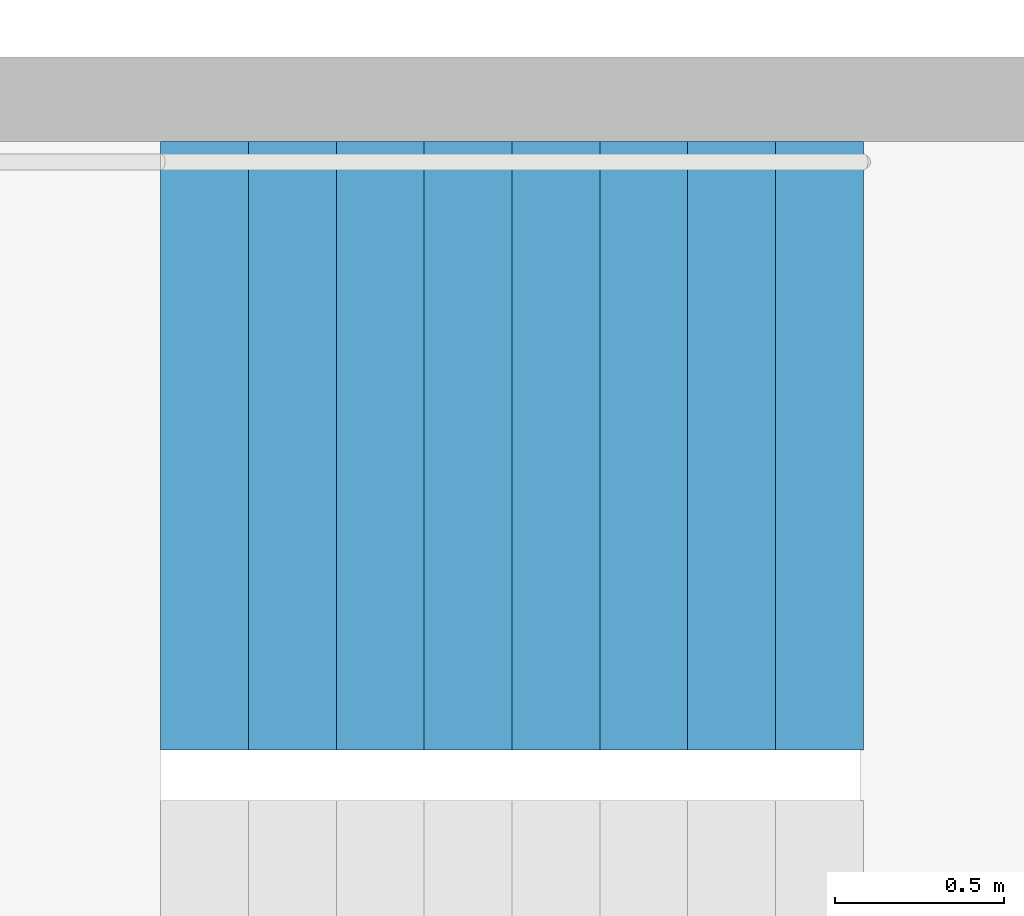
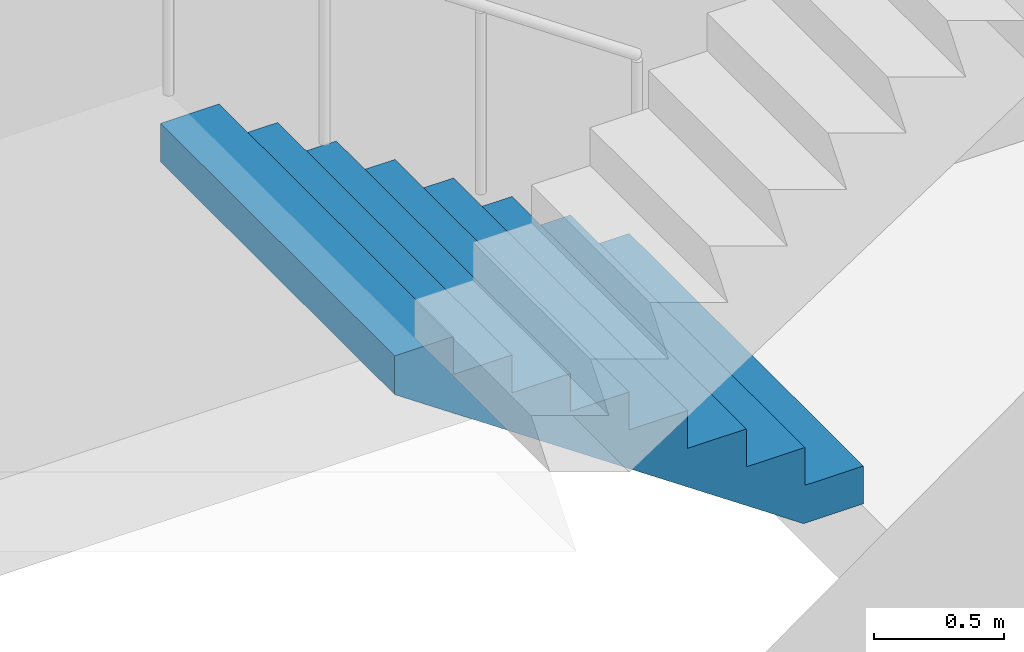
# One storey, part 18 of 25: 1 stair flight, 1 element without a shape of its own.
"""IFC4 building model written with IfcOpenShell, lengths in metres."""

from ifc_helpers import new_model, si_unit, direction, frame, origin, place, context, subcontext, project, spatial, triangles, material, type_object, element, aggregate, save


model = new_model("IFC4")

# Units and contexts
model_context = context("Model", 3, precision=1e-05, world=origin(), true_north=direction((0.0, 1.0)))
body_context = subcontext(model_context, "Body", "Model", "MODEL_VIEW")
ifc_project = project(units=[si_unit("LENGTHUNIT", "METRE"), si_unit("AREAUNIT", "SQUARE_METRE"), si_unit("VOLUMEUNIT", "CUBIC_METRE"), si_unit("PLANEANGLEUNIT", "RADIAN"), si_unit("MASSUNIT", "GRAM", prefix="KILO")], contexts=[model_context])

# Site, building, storey
site_placement = place(None, origin())
site = spatial("IfcSite", under=ifc_project, at=site_placement, CompositionType="ELEMENT")
building_placement = place(site_placement, origin())
building = spatial("IfcBuilding", under=site, at=building_placement, Name="Hakoniwa Tower and Hamabe Station Hall", CompositionType="ELEMENT")
storey_placement = place(building_placement, frame((0.0, 0.0, 147.0)))
storey = spatial("IfcBuildingStorey", under=building, at=storey_placement, Name="L41", CompositionType="ELEMENT", Elevation=147.0)

# Stair, stair flight
ifc_material_1 = material(Name="Concrete C40", Category="concrete")
stair_type = type_object("IfcStairType", Name="ESCAPE STAIR 1800", PredefinedType="HALF_TURN_STAIR", material=ifc_material_1)
stair_placement = place(storey_placement, origin())
stair = element("IfcStair", 1, at=stair_placement, inside=storey, type_object=stair_type, Name="Escape stair ST-2 L41", PredefinedType="HALF_TURN_STAIR")
ifc_material_2 = material(Name="Concrete C40", Category="concrete")
stair_flight_type = type_object("IfcStairFlightType", Name="STAIR FLIGHT 1800", PredefinedType="STRAIGHT", material=ifc_material_2)
stair_flight_placement = place(storey_placement, frame((-23.39990234375, -4.64990234375, 0.0), z_axis=(0.0, 0.0, 1.0), x_axis=(-1.0, 0.0, 0.0)))
stair_flight = element("IfcStairFlight", 2, at=stair_flight_placement, type_object=stair_flight_type, Name="ST-2 flight 1", NumberOfRisers=9, NumberOfTreads=8, PredefinedType="STRAIGHT", RiserHeight=0.177777778, TreadLength=0.26, context=body_context, shape_type="Tessellation", body=[
    triangles([(0.0, 0.89990234375, 0.0), (0.260009765625, 0.89990234375, 0.0), (0.265625, 0.89990234375, 0.0), (0.52001953125, 0.89990234375, 0.174072265625), (0.780029296875, 0.89990234375, 0.351806640625), (1.0400390625, 0.89990234375, 0.529541015625), (1.300048828125, 0.89990234375, 0.707275390625), (1.56005859375, 0.89990234375, 0.885009765625), (1.820068359375, 0.89990234375, 1.062744140625), (2.080078125, 0.89990234375, 1.24072265625), (2.080078125, 0.89990234375, 1.422119140625), (1.820068359375, 0.89990234375, 1.422119140625), (1.820068359375, 0.89990234375, 1.244384765625), (1.56005859375, 0.89990234375, 1.244384765625), (1.56005859375, 0.89990234375, 1.066650390625), (1.300048828125, 0.89990234375, 1.066650390625), (1.300048828125, 0.89990234375, 0.888916015625), (1.0400390625, 0.89990234375, 0.888916015625), (1.0400390625, 0.89990234375, 0.711181640625), (0.780029296875, 0.89990234375, 0.711181640625), (0.780029296875, 0.89990234375, 0.533447265625), (0.52001953125, 0.89990234375, 0.533447265625), (0.52001953125, 0.89990234375, 0.35546875), (0.265625, 0.89990234375, 0.35546875), (0.260009765625, 0.89990234375, 0.35546875), (0.260009765625, 0.89990234375, 0.177734375), (0.0, 0.89990234375, 0.177734375), (0.0, 0.06005859375, 0.0), (0.260009765625, 0.06005859375, 0.0), (0.265625, 0.06005859375, 0.0), (0.52001953125, 0.06005859375, 0.174072265625), (0.780029296875, 0.06005859375, 0.351806640625), (1.0400390625, 0.06005859375, 0.529541015625), (1.300048828125, 0.06005859375, 0.707275390625), (1.56005859375, 0.06005859375, 0.885009765625), (1.820068359375, 0.06005859375, 1.062744140625), (2.080078125, 0.06005859375, 1.24072265625), (2.080078125, 0.06005859375, 1.422119140625), (1.820068359375, 0.06005859375, 1.422119140625), (1.820068359375, 0.06005859375, 1.244384765625), (1.56005859375, 0.06005859375, 1.244384765625), (1.56005859375, 0.06005859375, 1.066650390625), (1.300048828125, 0.06005859375, 1.066650390625), (1.300048828125, 0.06005859375, 0.888916015625), (1.0400390625, 0.06005859375, 0.888916015625), (1.0400390625, 0.06005859375, 0.711181640625), (0.780029296875, 0.06005859375, 0.711181640625), (0.780029296875, 0.06005859375, 0.533447265625), (0.52001953125, 0.06005859375, 0.533447265625), (0.52001953125, 0.06005859375, 0.35546875), (0.265625, 0.06005859375, 0.35546875), (0.260009765625, 0.06005859375, 0.35546875), (0.260009765625, 0.06005859375, 0.177734375), (0.0, 0.06005859375, 0.177734375), (0.0, 0.04296875, 0.0), (0.260009765625, 0.04296875, 0.0), (0.265625, 0.04296875, 0.0), (0.52001953125, 0.04296875, 0.174072265625), (0.780029296875, 0.04296875, 0.351806640625), (1.0400390625, 0.04296875, 0.529541015625), (1.300048828125, 0.04296875, 0.707275390625), (1.56005859375, 0.04296875, 0.885009765625), (1.820068359375, 0.04296875, 1.062744140625), (2.080078125, 0.04296875, 1.24072265625), (2.080078125, 0.04296875, 1.422119140625), (1.820068359375, 0.04296875, 1.422119140625), (1.820068359375, 0.04296875, 1.244384765625), (1.56005859375, 0.04296875, 1.244384765625), (1.56005859375, 0.04296875, 1.066650390625), (1.300048828125, 0.04296875, 1.066650390625), (1.300048828125, 0.04296875, 0.888916015625), (1.0400390625, 0.04296875, 0.888916015625), (1.0400390625, 0.04296875, 0.711181640625), (0.780029296875, 0.04296875, 0.711181640625), (0.780029296875, 0.04296875, 0.533447265625), (0.52001953125, 0.04296875, 0.533447265625), (0.52001953125, 0.04296875, 0.35546875), (0.265625, 0.04296875, 0.35546875), (0.260009765625, 0.04296875, 0.35546875), (0.260009765625, 0.04296875, 0.177734375), (0.0, 0.04296875, 0.177734375), (0.0, 0.025634765625, 0.0), (0.260009765625, 0.025634765625, 0.0), (0.265625, 0.025634765625, 0.0), (0.52001953125, 0.025634765625, 0.174072265625), (0.780029296875, 0.025634765625, 0.351806640625), (1.0400390625, 0.025634765625, 0.529541015625), (1.300048828125, 0.025634765625, 0.707275390625), (1.56005859375, 0.025634765625, 0.885009765625), (1.820068359375, 0.025634765625, 1.062744140625), (2.080078125, 0.025634765625, 1.24072265625), (2.080078125, 0.025634765625, 1.422119140625), (1.820068359375, 0.025634765625, 1.422119140625), (1.820068359375, 0.025634765625, 1.244384765625), (1.56005859375, 0.025634765625, 1.244384765625), (1.56005859375, 0.025634765625, 1.066650390625), (1.300048828125, 0.025634765625, 1.066650390625), (1.300048828125, 0.025634765625, 0.888916015625), (1.0400390625, 0.025634765625, 0.888916015625), (1.0400390625, 0.025634765625, 0.711181640625), (0.780029296875, 0.025634765625, 0.711181640625), (0.780029296875, 0.025634765625, 0.533447265625), (0.52001953125, 0.025634765625, 0.533447265625), (0.52001953125, 0.025634765625, 0.35546875), (0.265625, 0.025634765625, 0.35546875), (0.260009765625, 0.025634765625, 0.35546875), (0.260009765625, 0.025634765625, 0.177734375), (0.0, 0.025634765625, 0.177734375), (0.0, 0.008544921875, 0.0), (0.260009765625, 0.008544921875, 0.0), (0.265625, 0.008544921875, 0.0), (0.52001953125, 0.008544921875, 0.174072265625), (0.780029296875, 0.008544921875, 0.351806640625), (1.0400390625, 0.008544921875, 0.529541015625), (1.300048828125, 0.008544921875, 0.707275390625), (1.56005859375, 0.008544921875, 0.885009765625), (1.820068359375, 0.008544921875, 1.062744140625), (2.080078125, 0.008544921875, 1.24072265625), (2.080078125, 0.008544921875, 1.422119140625), (1.820068359375, 0.008544921875, 1.422119140625), (1.820068359375, 0.008544921875, 1.244384765625), (1.56005859375, 0.008544921875, 1.244384765625), (1.56005859375, 0.008544921875, 1.066650390625), (1.300048828125, 0.008544921875, 1.066650390625), (1.300048828125, 0.008544921875, 0.888916015625), (1.0400390625, 0.008544921875, 0.888916015625), (1.0400390625, 0.008544921875, 0.711181640625), (0.780029296875, 0.008544921875, 0.711181640625), (0.780029296875, 0.008544921875, 0.533447265625), (0.52001953125, 0.008544921875, 0.533447265625), (0.52001953125, 0.008544921875, 0.35546875), (0.265625, 0.008544921875, 0.35546875), (0.260009765625, 0.008544921875, 0.35546875), (0.260009765625, 0.008544921875, 0.177734375), (0.0, 0.008544921875, 0.177734375), (0.0, -0.008544921875, 0.0), (0.260009765625, -0.008544921875, 0.0), (0.265625, -0.008544921875, 0.0), (0.52001953125, -0.008544921875, 0.174072265625), (0.780029296875, -0.008544921875, 0.351806640625), (1.0400390625, -0.008544921875, 0.529541015625), (1.300048828125, -0.008544921875, 0.707275390625), (1.56005859375, -0.008544921875, 0.885009765625), (1.820068359375, -0.008544921875, 1.062744140625), (2.080078125, -0.008544921875, 1.24072265625), (2.080078125, -0.008544921875, 1.422119140625), (1.820068359375, -0.008544921875, 1.422119140625), (1.820068359375, -0.008544921875, 1.244384765625), (1.56005859375, -0.008544921875, 1.244384765625), (1.56005859375, -0.008544921875, 1.066650390625), (1.300048828125, -0.008544921875, 1.066650390625), (1.300048828125, -0.008544921875, 0.888916015625), (1.0400390625, -0.008544921875, 0.888916015625), (1.0400390625, -0.008544921875, 0.711181640625), (0.780029296875, -0.008544921875, 0.711181640625), (0.780029296875, -0.008544921875, 0.533447265625), (0.52001953125, -0.008544921875, 0.533447265625), (0.52001953125, -0.008544921875, 0.35546875), (0.265625, -0.008544921875, 0.35546875), (0.260009765625, -0.008544921875, 0.35546875), (0.260009765625, -0.008544921875, 0.177734375), (0.0, -0.008544921875, 0.177734375), (0.0, -0.025634765625, 0.0), (0.260009765625, -0.025634765625, 0.0), (0.265625, -0.025634765625, 0.0), (0.52001953125, -0.025634765625, 0.174072265625), (0.780029296875, -0.025634765625, 0.351806640625), (1.0400390625, -0.025634765625, 0.529541015625), (1.300048828125, -0.025634765625, 0.707275390625), (1.56005859375, -0.025634765625, 0.885009765625), (1.820068359375, -0.025634765625, 1.062744140625), (2.080078125, -0.025634765625, 1.24072265625), (2.080078125, -0.025634765625, 1.422119140625), (1.820068359375, -0.025634765625, 1.422119140625), (1.820068359375, -0.025634765625, 1.244384765625), (1.56005859375, -0.025634765625, 1.244384765625), (1.56005859375, -0.025634765625, 1.066650390625), (1.300048828125, -0.025634765625, 1.066650390625), (1.300048828125, -0.025634765625, 0.888916015625), (1.0400390625, -0.025634765625, 0.888916015625), (1.0400390625, -0.025634765625, 0.711181640625), (0.780029296875, -0.025634765625, 0.711181640625), (0.780029296875, -0.025634765625, 0.533447265625), (0.52001953125, -0.025634765625, 0.533447265625), (0.52001953125, -0.025634765625, 0.35546875), (0.265625, -0.025634765625, 0.35546875), (0.260009765625, -0.025634765625, 0.35546875), (0.260009765625, -0.025634765625, 0.177734375), (0.0, -0.025634765625, 0.177734375), (0.0, -0.04296875, 0.0), (0.260009765625, -0.04296875, 0.0), (0.265625, -0.04296875, 0.0), (0.52001953125, -0.04296875, 0.174072265625), (0.780029296875, -0.04296875, 0.351806640625), (1.0400390625, -0.04296875, 0.529541015625), (1.300048828125, -0.04296875, 0.707275390625), (1.56005859375, -0.04296875, 0.885009765625), (1.820068359375, -0.04296875, 1.062744140625), (2.080078125, -0.04296875, 1.24072265625), (2.080078125, -0.04296875, 1.422119140625), (1.820068359375, -0.04296875, 1.422119140625), (1.820068359375, -0.04296875, 1.244384765625), (1.56005859375, -0.04296875, 1.244384765625), (1.56005859375, -0.04296875, 1.066650390625), (1.300048828125, -0.04296875, 1.066650390625), (1.300048828125, -0.04296875, 0.888916015625), (1.0400390625, -0.04296875, 0.888916015625), (1.0400390625, -0.04296875, 0.711181640625), (0.780029296875, -0.04296875, 0.711181640625), (0.780029296875, -0.04296875, 0.533447265625), (0.52001953125, -0.04296875, 0.533447265625), (0.52001953125, -0.04296875, 0.35546875), (0.265625, -0.04296875, 0.35546875), (0.260009765625, -0.04296875, 0.35546875), (0.260009765625, -0.04296875, 0.177734375), (0.0, -0.04296875, 0.177734375), (0.0, -0.06005859375, 0.0), (0.260009765625, -0.06005859375, 0.0), (0.265625, -0.06005859375, 0.0), (0.52001953125, -0.06005859375, 0.174072265625), (0.780029296875, -0.06005859375, 0.351806640625), (1.0400390625, -0.06005859375, 0.529541015625), (1.300048828125, -0.06005859375, 0.707275390625), (1.56005859375, -0.06005859375, 0.885009765625), (1.820068359375, -0.06005859375, 1.062744140625), (2.080078125, -0.06005859375, 1.24072265625), (2.080078125, -0.06005859375, 1.422119140625), (1.820068359375, -0.06005859375, 1.422119140625), (1.820068359375, -0.06005859375, 1.244384765625), (1.56005859375, -0.06005859375, 1.244384765625), (1.56005859375, -0.06005859375, 1.066650390625), (1.300048828125, -0.06005859375, 1.066650390625), (1.300048828125, -0.06005859375, 0.888916015625), (1.0400390625, -0.06005859375, 0.888916015625), (1.0400390625, -0.06005859375, 0.711181640625), (0.780029296875, -0.06005859375, 0.711181640625), (0.780029296875, -0.06005859375, 0.533447265625), (0.52001953125, -0.06005859375, 0.533447265625), (0.52001953125, -0.06005859375, 0.35546875), (0.265625, -0.06005859375, 0.35546875), (0.260009765625, -0.06005859375, 0.35546875), (0.260009765625, -0.06005859375, 0.177734375), (0.0, -0.06005859375, 0.177734375), (0.0, -0.89990234375, 0.0), (0.260009765625, -0.89990234375, 0.0), (0.265625, -0.89990234375, 0.0), (0.52001953125, -0.89990234375, 0.174072265625), (0.780029296875, -0.89990234375, 0.351806640625), (1.0400390625, -0.89990234375, 0.529541015625), (1.300048828125, -0.89990234375, 0.707275390625), (1.56005859375, -0.89990234375, 0.885009765625), (1.820068359375, -0.89990234375, 1.062744140625), (2.080078125, -0.89990234375, 1.24072265625), (2.080078125, -0.89990234375, 1.422119140625), (1.820068359375, -0.89990234375, 1.422119140625), (1.820068359375, -0.89990234375, 1.244384765625), (1.56005859375, -0.89990234375, 1.244384765625), (1.56005859375, -0.89990234375, 1.066650390625), (1.300048828125, -0.89990234375, 1.066650390625), (1.300048828125, -0.89990234375, 0.888916015625), (1.0400390625, -0.89990234375, 0.888916015625), (1.0400390625, -0.89990234375, 0.711181640625), (0.780029296875, -0.89990234375, 0.711181640625), (0.780029296875, -0.89990234375, 0.533447265625), (0.52001953125, -0.89990234375, 0.533447265625), (0.52001953125, -0.89990234375, 0.35546875), (0.265625, -0.89990234375, 0.35546875), (0.260009765625, -0.89990234375, 0.35546875), (0.260009765625, -0.89990234375, 0.177734375), (0.0, -0.89990234375, 0.177734375)], [[2, 27, 26], [245, 269, 270], [2, 1, 27], [245, 270, 244], [3, 25, 24], [246, 267, 268], [3, 26, 25], [246, 268, 269], [3, 2, 26], [246, 269, 245], [4, 24, 23], [247, 266, 267], [4, 3, 24], [247, 267, 246], [5, 22, 21], [248, 264, 265], [5, 23, 22], [248, 265, 266], [5, 4, 23], [248, 266, 247], [6, 20, 19], [249, 262, 263], [6, 21, 20], [249, 263, 264], [6, 5, 21], [249, 264, 248], [7, 18, 17], [250, 260, 261], [7, 19, 18], [250, 261, 262], [7, 6, 19], [250, 262, 249], [8, 16, 15], [251, 258, 259], [8, 17, 16], [251, 259, 260], [8, 7, 17], [251, 260, 250], [9, 14, 13], [252, 256, 257], [9, 15, 14], [252, 257, 258], [9, 8, 15], [252, 258, 251], [10, 12, 11], [253, 254, 255], [10, 13, 12], [253, 255, 256], [10, 9, 13], [253, 256, 252], [1, 2, 29], [1, 29, 28], [28, 29, 56], [28, 56, 55], [55, 56, 83], [55, 83, 82], [82, 83, 110], [82, 110, 109], [109, 110, 137], [109, 137, 136], [136, 137, 164], [136, 164, 163], [163, 164, 191], [163, 191, 190], [190, 191, 218], [190, 218, 217], [217, 218, 245], [217, 245, 244], [2, 3, 30], [2, 30, 29], [29, 30, 57], [29, 57, 56], [56, 57, 84], [56, 84, 83], [83, 84, 111], [83, 111, 110], [110, 111, 138], [110, 138, 137], [137, 138, 165], [137, 165, 164], [164, 165, 192], [164, 192, 191], [191, 192, 219], [191, 219, 218], [218, 219, 246], [218, 246, 245], [3, 4, 31], [3, 31, 30], [30, 31, 58], [30, 58, 57], [57, 58, 85], [57, 85, 84], [84, 85, 112], [84, 112, 111], [111, 112, 139], [111, 139, 138], [138, 139, 166], [138, 166, 165], [165, 166, 193], [165, 193, 192], [192, 193, 220], [192, 220, 219], [219, 220, 247], [219, 247, 246], [4, 5, 32], [4, 32, 31], [31, 32, 59], [31, 59, 58], [58, 59, 86], [58, 86, 85], [85, 86, 113], [85, 113, 112], [112, 113, 140], [112, 140, 139], [139, 140, 167], [139, 167, 166], [166, 167, 194], [166, 194, 193], [193, 194, 221], [193, 221, 220], [220, 221, 248], [220, 248, 247], [5, 6, 33], [5, 33, 32], [32, 33, 60], [32, 60, 59], [59, 60, 87], [59, 87, 86], [86, 87, 114], [86, 114, 113], [113, 114, 141], [113, 141, 140], [140, 141, 168], [140, 168, 167], [167, 168, 195], [167, 195, 194], [194, 195, 222], [194, 222, 221], [221, 222, 249], [221, 249, 248], [6, 7, 34], [6, 34, 33], [33, 34, 61], [33, 61, 60], [60, 61, 88], [60, 88, 87], [87, 88, 115], [87, 115, 114], [114, 115, 142], [114, 142, 141], [141, 142, 169], [141, 169, 168], [168, 169, 196], [168, 196, 195], [195, 196, 223], [195, 223, 222], [222, 223, 250], [222, 250, 249], [7, 8, 35], [7, 35, 34], [34, 35, 62], [34, 62, 61], [61, 62, 89], [61, 89, 88], [88, 89, 116], [88, 116, 115], [115, 116, 143], [115, 143, 142], [142, 143, 170], [142, 170, 169], [169, 170, 197], [169, 197, 196], [196, 197, 224], [196, 224, 223], [223, 224, 251], [223, 251, 250], [8, 9, 36], [8, 36, 35], [35, 36, 63], [35, 63, 62], [62, 63, 90], [62, 90, 89], [89, 90, 117], [89, 117, 116], [116, 117, 144], [116, 144, 143], [143, 144, 171], [143, 171, 170], [170, 171, 198], [170, 198, 197], [197, 198, 225], [197, 225, 224], [224, 225, 252], [224, 252, 251], [9, 10, 37], [9, 37, 36], [36, 37, 64], [36, 64, 63], [63, 64, 91], [63, 91, 90], [90, 91, 118], [90, 118, 117], [117, 118, 145], [117, 145, 144], [144, 145, 172], [144, 172, 171], [171, 172, 199], [171, 199, 198], [198, 199, 226], [198, 226, 225], [225, 226, 253], [225, 253, 252], [10, 11, 38], [10, 38, 37], [37, 38, 65], [37, 65, 64], [64, 65, 92], [64, 92, 91], [91, 92, 119], [91, 119, 118], [118, 119, 146], [118, 146, 145], [145, 146, 173], [145, 173, 172], [172, 173, 200], [172, 200, 199], [199, 200, 227], [199, 227, 226], [226, 227, 254], [226, 254, 253], [11, 12, 39], [11, 39, 38], [38, 39, 66], [38, 66, 65], [65, 66, 93], [65, 93, 92], [92, 93, 120], [92, 120, 119], [119, 120, 147], [119, 147, 146], [146, 147, 174], [146, 174, 173], [173, 174, 201], [173, 201, 200], [200, 201, 228], [200, 228, 227], [227, 228, 255], [227, 255, 254], [12, 13, 40], [12, 40, 39], [39, 40, 67], [39, 67, 66], [66, 67, 94], [66, 94, 93], [93, 94, 121], [93, 121, 120], [120, 121, 148], [120, 148, 147], [147, 148, 175], [147, 175, 174], [174, 175, 202], [174, 202, 201], [201, 202, 229], [201, 229, 228], [228, 229, 256], [228, 256, 255], [13, 14, 41], [13, 41, 40], [40, 41, 68], [40, 68, 67], [67, 68, 95], [67, 95, 94], [94, 95, 122], [94, 122, 121], [121, 122, 149], [121, 149, 148], [148, 149, 176], [148, 176, 175], [175, 176, 203], [175, 203, 202], [202, 203, 230], [202, 230, 229], [229, 230, 257], [229, 257, 256], [14, 15, 42], [14, 42, 41], [41, 42, 69], [41, 69, 68], [68, 69, 96], [68, 96, 95], [95, 96, 123], [95, 123, 122], [122, 123, 150], [122, 150, 149], [149, 150, 177], [149, 177, 176], [176, 177, 204], [176, 204, 203], [203, 204, 231], [203, 231, 230], [230, 231, 258], [230, 258, 257], [15, 16, 43], [15, 43, 42], [42, 43, 70], [42, 70, 69], [69, 70, 97], [69, 97, 96], [96, 97, 124], [96, 124, 123], [123, 124, 151], [123, 151, 150], [150, 151, 178], [150, 178, 177], [177, 178, 205], [177, 205, 204], [204, 205, 232], [204, 232, 231], [231, 232, 259], [231, 259, 258], [16, 17, 44], [16, 44, 43], [43, 44, 71], [43, 71, 70], [70, 71, 98], [70, 98, 97], [97, 98, 125], [97, 125, 124], [124, 125, 152], [124, 152, 151], [151, 152, 179], [151, 179, 178], [178, 179, 206], [178, 206, 205], [205, 206, 233], [205, 233, 232], [232, 233, 260], [232, 260, 259], [17, 18, 45], [17, 45, 44], [44, 45, 72], [44, 72, 71], [71, 72, 99], [71, 99, 98], [98, 99, 126], [98, 126, 125], [125, 126, 153], [125, 153, 152], [152, 153, 180], [152, 180, 179], [179, 180, 207], [179, 207, 206], [206, 207, 234], [206, 234, 233], [233, 234, 261], [233, 261, 260], [18, 19, 46], [18, 46, 45], [45, 46, 73], [45, 73, 72], [72, 73, 100], [72, 100, 99], [99, 100, 127], [99, 127, 126], [126, 127, 154], [126, 154, 153], [153, 154, 181], [153, 181, 180], [180, 181, 208], [180, 208, 207], [207, 208, 235], [207, 235, 234], [234, 235, 262], [234, 262, 261], [19, 20, 47], [19, 47, 46], [46, 47, 74], [46, 74, 73], [73, 74, 101], [73, 101, 100], [100, 101, 128], [100, 128, 127], [127, 128, 155], [127, 155, 154], [154, 155, 182], [154, 182, 181], [181, 182, 209], [181, 209, 208], [208, 209, 236], [208, 236, 235], [235, 236, 263], [235, 263, 262], [20, 21, 48], [20, 48, 47], [47, 48, 75], [47, 75, 74], [74, 75, 102], [74, 102, 101], [101, 102, 129], [101, 129, 128], [128, 129, 156], [128, 156, 155], [155, 156, 183], [155, 183, 182], [182, 183, 210], [182, 210, 209], [209, 210, 237], [209, 237, 236], [236, 237, 264], [236, 264, 263], [21, 22, 49], [21, 49, 48], [48, 49, 76], [48, 76, 75], [75, 76, 103], [75, 103, 102], [102, 103, 130], [102, 130, 129], [129, 130, 157], [129, 157, 156], [156, 157, 184], [156, 184, 183], [183, 184, 211], [183, 211, 210], [210, 211, 238], [210, 238, 237], [237, 238, 265], [237, 265, 264], [22, 23, 50], [22, 50, 49], [49, 50, 77], [49, 77, 76], [76, 77, 104], [76, 104, 103], [103, 104, 131], [103, 131, 130], [130, 131, 158], [130, 158, 157], [157, 158, 185], [157, 185, 184], [184, 185, 212], [184, 212, 211], [211, 212, 239], [211, 239, 238], [238, 239, 266], [238, 266, 265], [23, 24, 51], [23, 51, 50], [50, 51, 78], [50, 78, 77], [77, 78, 105], [77, 105, 104], [104, 105, 132], [104, 132, 131], [131, 132, 159], [131, 159, 158], [158, 159, 186], [158, 186, 185], [185, 186, 213], [185, 213, 212], [212, 213, 240], [212, 240, 239], [239, 240, 267], [239, 267, 266], [24, 25, 52], [24, 52, 51], [51, 52, 79], [51, 79, 78], [78, 79, 106], [78, 106, 105], [105, 106, 133], [105, 133, 132], [132, 133, 160], [132, 160, 159], [159, 160, 187], [159, 187, 186], [186, 187, 214], [186, 214, 213], [213, 214, 241], [213, 241, 240], [240, 241, 268], [240, 268, 267], [25, 26, 53], [25, 53, 52], [52, 53, 80], [52, 80, 79], [79, 80, 107], [79, 107, 106], [106, 107, 134], [106, 134, 133], [133, 134, 161], [133, 161, 160], [160, 161, 188], [160, 188, 187], [187, 188, 215], [187, 215, 214], [214, 215, 242], [214, 242, 241], [241, 242, 269], [241, 269, 268], [26, 27, 54], [26, 54, 53], [53, 54, 81], [53, 81, 80], [80, 81, 108], [80, 108, 107], [107, 108, 135], [107, 135, 134], [134, 135, 162], [134, 162, 161], [161, 162, 189], [161, 189, 188], [188, 189, 216], [188, 216, 215], [215, 216, 243], [215, 243, 242], [242, 243, 270], [242, 270, 269], [27, 1, 28], [27, 28, 54], [54, 28, 55], [54, 55, 81], [81, 55, 82], [81, 82, 108], [108, 82, 109], [108, 109, 135], [135, 109, 136], [135, 136, 162], [162, 136, 163], [162, 163, 189], [189, 163, 190], [189, 190, 216], [216, 190, 217], [216, 217, 243], [243, 217, 244], [243, 244, 270]], closed=True),
])
aggregate(stair, [stair_flight])

save(model, "model.ifc")
